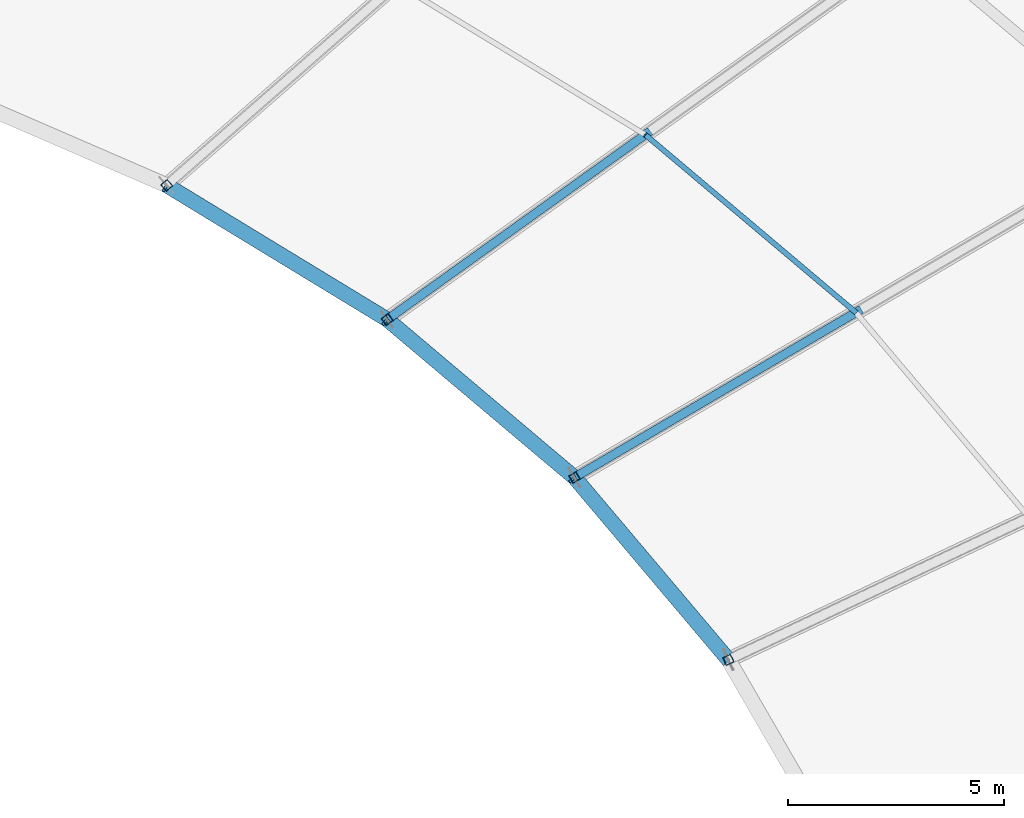
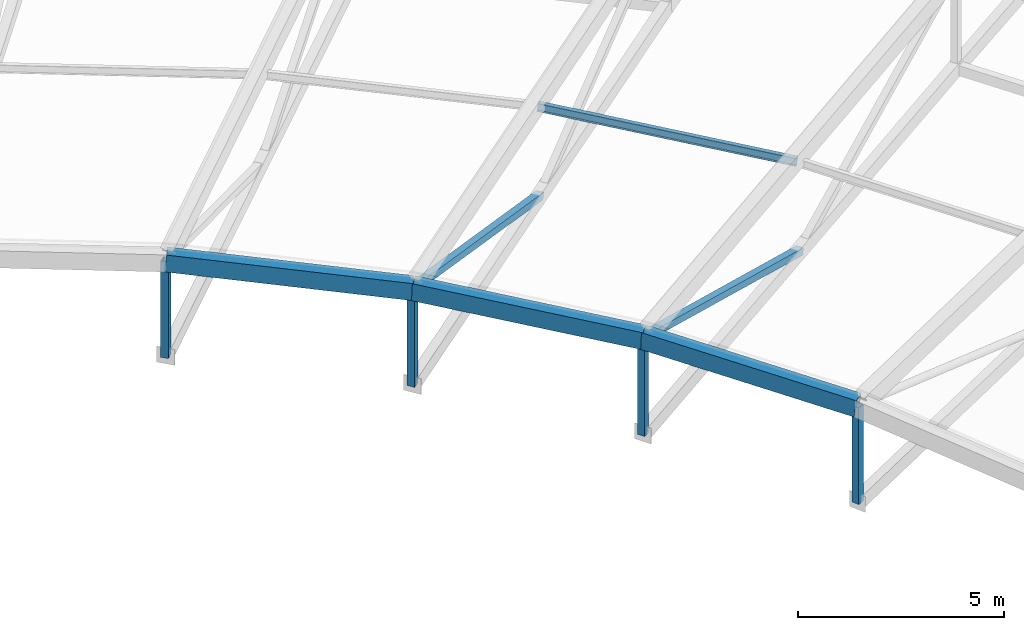
# One storey, part 76 of 143: 7 members, 3 beams.
"""IFC4 building model written with IfcOpenShell, lengths in metres."""

from ifc_helpers import new_model, si_unit, direction, frame, origin, origin_2d, place, context, subcontext, project, spatial, hollow_rectangle, i_section, extrude, material, material_profile, profile_set, type_object, element, save


model = new_model("IFC4")

# Units and contexts
model_context = context("Model", 3, precision=1e-05, world=origin(), true_north=direction((0.0, 1.0)))
body_context = subcontext(model_context, "Body", "Model", "MODEL_VIEW")
ifc_project = project(units=[si_unit("LENGTHUNIT", "METRE"), si_unit("AREAUNIT", "SQUARE_METRE"), si_unit("VOLUMEUNIT", "CUBIC_METRE"), si_unit("PLANEANGLEUNIT", "RADIAN"), si_unit("MASSUNIT", "GRAM", prefix="KILO")], contexts=[model_context])

# Site, building, storey
site_placement = place(None, origin())
site = spatial("IfcSite", under=ifc_project, at=site_placement, CompositionType="ELEMENT")
building_placement = place(site_placement, origin())
building = spatial("IfcBuilding", under=site, at=building_placement, Name="Mphavela Belvedere Stadium", CompositionType="ELEMENT")
storey_placement = place(building_placement, frame((0.0, 0.0, 28.800048828125)))
storey = spatial("IfcBuildingStorey", under=building, at=storey_placement, Name="RF", CompositionType="ELEMENT", Elevation=28.800048828125)

# Beams
ifc_material_1 = material(Name="Steel S355", Category="steel")
ifc_material_profile_1 = material_profile(ifc_material_1, hollow_rectangle(XDim=0.35009765625, YDim=0.5, WallThickness=0.02001953125, at=origin_2d()), Name="RHS 500x350x20")
ifc_profile_set_1 = profile_set([ifc_material_profile_1], Name="Steel S355")
beam_type = type_object("IfcBeamType", Name="BM-RING-IN", PredefinedType="BEAM", material=ifc_profile_set_1)
beam_1_placement = place(storey_placement, frame((170.693603515625, 113.361572265625, 2.947998046875), z_axis=(-0.640050552269, 0.758013434001, 0.125502686881), x_axis=(-0.764054600032, -0.645151585419, 0.0)))
element("IfcBeam", 1, at=beam_1_placement, inside=storey, type_object=beam_type, Name="Inner tension ring beam RB-IN-05", PredefinedType="BEAM", context=body_context, shape_type="SweptSolid", body=[
    extrude(hollow_rectangle(XDim=0.35009765625, YDim=0.5, WallThickness=0.02001953125, at=origin_2d()), origin(), (0.0, 0.0, 1.0), 5.5693359375),
])
beam_2_placement = place(storey_placement, frame((167.12890625, 117.583251953125, 3.64697265625), z_axis=(-0.757688912206, 0.639326677835, 0.131030192428), x_axis=(-0.644886646636, -0.764278230091, 0.0)))
element("IfcBeam", 2, at=beam_2_placement, inside=storey, type_object=beam_type, Name="Inner tension ring beam RB-IN-06", PredefinedType="BEAM", context=body_context, shape_type="SweptSolid", body=[
    extrude(hollow_rectangle(XDim=0.35009765625, YDim=0.5, WallThickness=0.02001953125, at=origin_2d()), origin(), (0.0, 0.0, 1.0), 5.723876953125),
])
beam_3_placement = place(storey_placement, frame((162.7919921875, 121.24267578125, 4.39697265625), z_axis=(-0.847657355277, 0.515725756117, 0.124514868679), x_axis=(-0.519770746181, -0.85430578332, 0.0)))
element("IfcBeam", 3, at=beam_3_placement, inside=storey, type_object=beam_type, Name="Inner tension ring beam RB-IN-07", PredefinedType="BEAM", context=body_context, shape_type="SweptSolid", body=[
    extrude(hollow_rectangle(XDim=0.35009765625, YDim=0.5, WallThickness=0.02001953125, at=origin_2d()), origin(), (0.0, 0.0, 1.0), 6.025390625),
])

# Members
ifc_material_2 = material(Name="Steel S355", Category="steel")
ifc_material_profile_2 = material_profile(ifc_material_2, hollow_rectangle(XDim=0.199951171875, YDim=0.199951171875, WallThickness=0.010009765625, at=origin_2d()), Name="SHS 200x200x10")
ifc_profile_set_2 = profile_set([ifc_material_profile_2], Name="Steel S355")
member_type_1 = type_object("IfcMemberType", Name="MEM-POST-SHS200", PredefinedType="POST", material=ifc_profile_set_2)
member_1_placement = place(storey_placement, frame((170.693603515625, 113.361572265625, 0.09814453125), z_axis=(0.0, 0.0, 1.0), x_axis=(0.903858661687, 0.4278311813, 0.0)))
element("IfcMember", 4, at=member_1_placement, inside=storey, type_object=member_type_1, Name="Radial roof truss RT-05 post P4", PredefinedType="POST", context=body_context, shape_type="SweptSolid", body=[
    extrude(hollow_rectangle(XDim=0.199951171875, YDim=0.199951171875, WallThickness=0.010009765625, at=origin_2d()), origin(), (0.0, 0.0, 1.0), 2.849853515625),
])
member_2_placement = place(storey_placement, frame((167.12890625, 117.583251953125, 0.796875), z_axis=(0.0, 0.0, 1.0), x_axis=(0.862513669207, 0.506033764121, 0.0)))
element("IfcMember", 5, at=member_2_placement, inside=storey, type_object=member_type_1, Name="Radial roof truss RT-06 post P4", PredefinedType="POST", context=body_context, shape_type="SweptSolid", body=[
    extrude(hollow_rectangle(XDim=0.199951171875, YDim=0.199951171875, WallThickness=0.010009765625, at=origin_2d()), origin(), (0.0, 0.0, 1.0), 2.85009765625),
])
member_3_placement = place(storey_placement, frame((173.74658203125, 121.4658203125, 1.540283203125), z_axis=(-0.831730583335, -0.487973565512, 0.264775444684), x_axis=(0.506033864876, -0.862513610095, 0.0)))
element("IfcMember", 6, at=member_3_placement, inside=storey, type_object=member_type_1, Name="Radial roof truss RT-06 web diagonal D6", PredefinedType="POST", context=body_context, shape_type="SweptSolid", body=[
    extrude(hollow_rectangle(XDim=0.199951171875, YDim=0.199951171875, WallThickness=0.010009765625, at=origin_2d()), origin(), (0.0, 0.0, 1.0), 7.95654296875),
])
member_4_placement = place(storey_placement, frame((162.7919921875, 121.24267578125, 1.547119140625), z_axis=(0.0, 0.0, 1.0), x_axis=(0.812897512265, 0.582406760395, 0.0)))
element("IfcMember", 7, at=member_4_placement, inside=storey, type_object=member_type_1, Name="Radial roof truss RT-07 post P4", PredefinedType="POST", context=body_context, shape_type="SweptSolid", body=[
    extrude(hollow_rectangle(XDim=0.199951171875, YDim=0.199951171875, WallThickness=0.010009765625, at=origin_2d()), origin(), (0.0, 0.0, 1.0), 2.849853515625),
])
member_5_placement = place(storey_placement, frame((168.859375, 125.58984375, 2.3857421875), z_axis=(-0.784892990063, -0.562361362509, 0.260178192988), x_axis=(0.58241953096, -0.812888362542, 0.0)))
element("IfcMember", 8, at=member_5_placement, inside=storey, type_object=member_type_1, Name="Radial roof truss RT-07 web diagonal D6", PredefinedType="POST", context=body_context, shape_type="SweptSolid", body=[
    extrude(hollow_rectangle(XDim=0.199951171875, YDim=0.199951171875, WallThickness=0.010009765625, at=origin_2d()), origin(), (0.0, 0.0, 1.0), 7.730224609375),
])
member_6_placement = place(storey_placement, frame((157.6845703125, 124.35009765625, 2.297119140625), z_axis=(0.0, 0.0, 1.0), x_axis=(0.752529860433, 0.658558128912, 0.0)))
element("IfcMember", 9, at=member_6_placement, inside=storey, type_object=member_type_1, Name="Radial roof truss RT-08 post P4", PredefinedType="POST", context=body_context, shape_type="SweptSolid", body=[
    extrude(hollow_rectangle(XDim=0.199951171875, YDim=0.199951171875, WallThickness=0.010009765625, at=origin_2d()), origin(), (0.0, 0.0, 1.0), 2.85009765625),
])
ifc_material_3 = material(Name="Steel S355", Category="steel")
ifc_material_profile_3 = material_profile(ifc_material_3, i_section(OverallWidth=0.1201171875, OverallDepth=0.239990234375, WebThickness=0.006103515625, FlangeThickness=0.009765625, at=origin_2d()), Name="IPE 240")
ifc_profile_set_3 = profile_set([ifc_material_profile_3], Name="Steel S355")
member_type_2 = type_object("IfcMemberType", Name="MEM-PURLIN-IPE240", PredefinedType="PURLIN", material=ifc_profile_set_3)
member_7_placement = place(storey_placement, frame((173.64501953125, 121.406005859375, 4.243408203125), z_axis=(-0.757651820554, 0.639363505896, 0.131064969158), x_axis=(-0.64492678552, -0.764244359691, 0.0)))
element("IfcMember", 10, at=member_7_placement, inside=storey, type_object=member_type_2, Name="Saddle canopy steel purlin 06-1", PredefinedType="PURLIN", context=body_context, shape_type="SweptSolid", body=[
    extrude(i_section(OverallWidth=0.1201171875, OverallDepth=0.239990234375, WebThickness=0.006103515625, FlangeThickness=0.009765625, at=origin_2d()), origin(), (0.0, 0.0, 1.0), 6.439453125),
])

save(model, "model.ifc")
